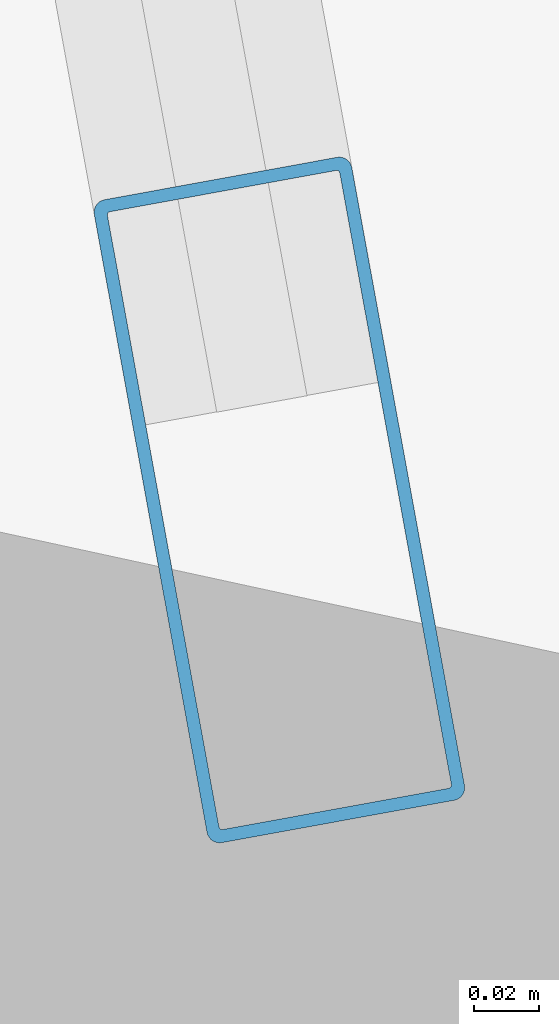
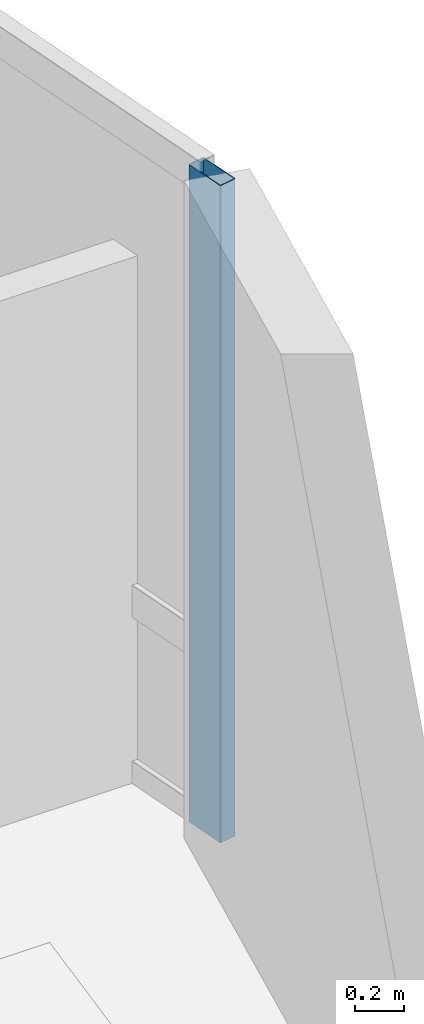
# One storey, part 11 of 27: 1 member, 1 element without a shape of its own.
"""IFC4 building model written with IfcOpenShell, lengths in metres."""

from ifc_helpers import new_model, si_unit, direction, frame, origin, origin_2d, place, context, subcontext, project, spatial, hollow_rectangle, extrude, material, layer, layer_set, material_profile, profile_set, type_object, element, aggregate, save


model = new_model("IFC4")

# Units and contexts
model_context = context("Model", 3, precision=1e-05, world=origin(), true_north=direction((0.0, 1.0)))
body_context = subcontext(model_context, "Body", "Model", "MODEL_VIEW")
ifc_project = project(units=[si_unit("LENGTHUNIT", "METRE"), si_unit("AREAUNIT", "SQUARE_METRE"), si_unit("VOLUMEUNIT", "CUBIC_METRE"), si_unit("PLANEANGLEUNIT", "RADIAN"), si_unit("MASSUNIT", "GRAM", prefix="KILO")], contexts=[model_context])

# Site, building, storey
site_placement = place(None, origin())
site = spatial("IfcSite", under=ifc_project, at=site_placement, CompositionType="ELEMENT")
building_placement = place(site_placement, origin())
building = spatial("IfcBuilding", under=site, at=building_placement, Name="Bramvorn Convention Spire", CompositionType="ELEMENT")
storey_placement = place(building_placement, frame((0.0, 0.0, 41.39990234375)))
storey = spatial("IfcBuildingStorey", under=building, at=storey_placement, Name="L07", CompositionType="ELEMENT", Elevation=41.39990234375)

# Curtain wall, member
ifc_material_1 = material(Name="Anodised Bronze Unitised Curtain Wall", Category="aluminium")
ifc_layer = layer(ifc_material_1, 0.179931640625)
ifc_layer_set = layer_set([ifc_layer], Name="Anodised Bronze Unitised Curtain Wall - CW-HTL-FRIT")
curtain_wall_type = type_object("IfcCurtainWallType", Name="CW-HTL-FRIT", PredefinedType="USERDEFINED", material=ifc_layer_set)
curtain_wall_placement = place(storey_placement, origin())
curtain_wall = element("IfcCurtainWall", 1, at=curtain_wall_placement, inside=storey, type_object=curtain_wall_type, Name="L07 fritted glass curtain wall 01", ObjectType="UNITISED CURTAIN WALL", PredefinedType="USERDEFINED")
ifc_material_2 = material(Name="Anodised Bronze Aluminium 6063-T6", Category="aluminium")
ifc_material_profile = material_profile(ifc_material_2, hollow_rectangle(XDim=0.080078125, YDim=0.199951171875, WallThickness=0.00390625, InnerFilletRadius=0.0009765625, OuterFilletRadius=0.00390625, at=origin_2d()))
ifc_profile_set = profile_set([ifc_material_profile], Name="Anodised Bronze Aluminium 6063-T6 - CWM80X200")
member_type = type_object("IfcMemberType", Name="CW-MUL-180", PredefinedType="MULLION", material=ifc_profile_set)
member_placement = place(storey_placement, frame((70.77001953125, 25.486083984375, 0.0), z_axis=(0.0, 0.0, 1.0), x_axis=(0.983767592965, 0.179447270894, 0.0)))
member = element("IfcMember", 2, at=member_placement, type_object=member_type, Name="CW2 mullion 3", PredefinedType="MULLION", context=body_context, shape_type="SweptSolid", body=[
    extrude(hollow_rectangle(XDim=0.080078125, YDim=0.199951171875, WallThickness=0.00390625, InnerFilletRadius=0.0009765625, OuterFilletRadius=0.00390625, at=origin_2d()), origin(), (0.0, 0.0, 1.0), 3.25),
])
aggregate(curtain_wall, [member])

save(model, "model.ifc")
